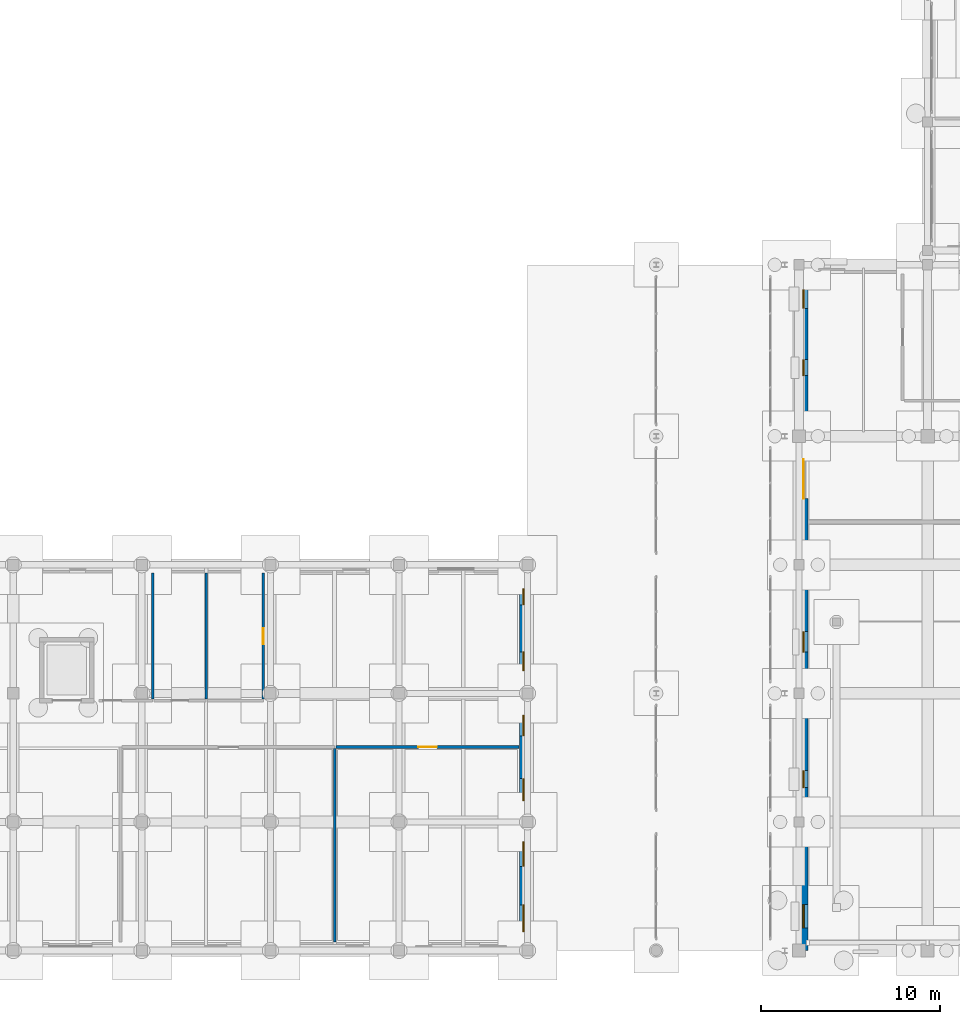
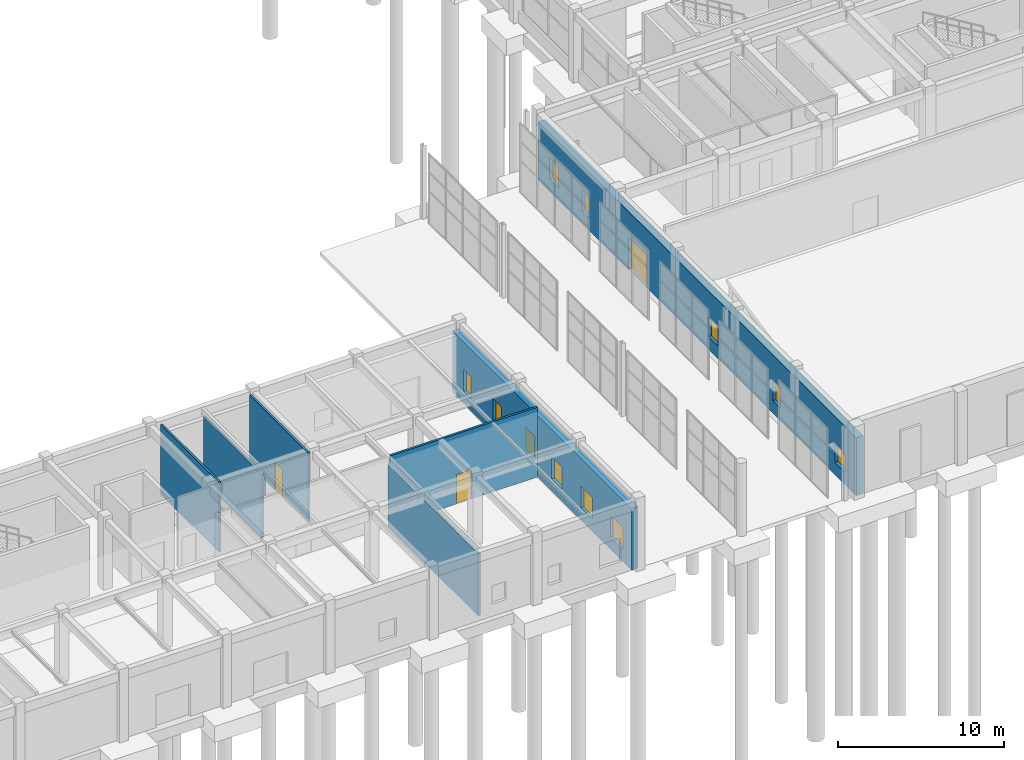
# One storey, part 70 of 91: 11 windows, 7 walls, 3 doors, 14 openings.
"""IFC4 building model written with IfcOpenShell, lengths in metres."""

import ifcopenshell
import ifcopenshell.guid

model = None  # the IFC model being written
_history = None  # IfcOwnerHistory: only IFC2X3 demands one
_inside = {}  # id of a spatial element -> (the spatial element, [elements in it])
_under = {}  # id of a project, library or spatial element -> (it, [spatial elements below it])
_declared = {}  # id of a project -> (the project, [libraries it declares])
_typed = {}  # id of a type object -> (the type object, [elements of that type])
_made_of = {}  # id of a material, layer set ... -> (it, [elements and type objects made of it])


def new_model(schema):
    """Start an empty IFC model of exactly this schema.

    Asked for "IFC4X3", IfcOpenShell would pick the latest addendum, in which some entities
    have other attributes; the version numbers below select the first issue.
    IFC2X3 requires an IfcOwnerHistory on every rooted entity: one is made here for all.
    """
    global model, _history
    if schema == "IFC4X3":
        model = ifcopenshell.file(schema_version=(4, 3, 0, 0))
    else:
        model = ifcopenshell.file(schema=schema)
    _inside.clear()
    _under.clear()
    _declared.clear()
    _typed.clear()
    _made_of.clear()
    _history = None
    if model.schema == "IFC2X3":
        org = make("IfcOrganization", Name="unknown")
        user = make(
            "IfcPersonAndOrganization",
            ThePerson=make("IfcPerson", FamilyName="unknown"),
            TheOrganization=org,
        )
        app = make(
            "IfcApplication",
            ApplicationDeveloper=org,
            Version="unknown",
            ApplicationFullName="unknown",
            ApplicationIdentifier="unknown",
        )
        _history = make(
            "IfcOwnerHistory",
            OwningUser=user,
            OwningApplication=app,
            ChangeAction="ADDED",
            CreationDate=0,
        )
    return model


def make(cls, **values):
    """One entity of the class cls with the attributes given. An attribute that is None is left unset."""
    return model.create_entity(
        cls, **{name: value for name, value in values.items() if value is not None}
    )


def rooted(cls, **values):
    """An entity with a GlobalId (a new one), such as an element, a storey or a relation."""
    return make(cls, GlobalId=ifcopenshell.guid.new(), OwnerHistory=_history, **values)


def si_unit(unit_type, name, prefix=None):
    """IfcSIUnit, for example si_unit("LENGTHUNIT", "METRE", prefix="MILLI")."""
    return make("IfcSIUnit", UnitType=unit_type, Prefix=prefix, Name=name)


def assignment(units):
    """IfcUnitAssignment: the units of a project."""
    return None if units is None else make("IfcUnitAssignment", Units=units)


def point(xyz):
    """IfcCartesianPoint."""
    return None if xyz is None else make("IfcCartesianPoint", Coordinates=xyz)


def direction(xyz):
    """IfcDirection."""
    return None if xyz is None else make("IfcDirection", DirectionRatios=xyz)


def frame(location, z_axis=None, x_axis=None):
    """IfcAxis2Placement3D, a coordinate frame: its origin and axes. An axis left out is left unset."""
    return make(
        "IfcAxis2Placement3D",
        Location=point(location),
        Axis=direction(z_axis),
        RefDirection=direction(x_axis),
    )


def frame_2d(location, x_axis=None):
    """IfcAxis2Placement2D, a coordinate frame in the plane: its origin and x axis."""
    return make(
        "IfcAxis2Placement2D", Location=point(location), RefDirection=direction(x_axis)
    )


def origin():
    """The frame at (0, 0, 0) with its axes left unset."""
    return frame((0.0, 0.0, 0.0))


def place(relative_to, where):
    """IfcLocalPlacement: puts the frame where relative to a parent placement (None: the world)."""
    return make(
        "IfcLocalPlacement", PlacementRelTo=relative_to, RelativePlacement=where
    )


def context(
    kind, dimensions, precision=None, world=None, true_north=None, identifier=None
):
    """IfcGeometricRepresentationContext, for example the 3D "Model" context."""
    return make(
        "IfcGeometricRepresentationContext",
        ContextIdentifier=identifier,
        ContextType=kind,
        CoordinateSpaceDimension=dimensions,
        Precision=precision,
        WorldCoordinateSystem=world,
        TrueNorth=true_north,
    )


def subcontext(parent, identifier, kind, view, scale=None):
    """IfcGeometricRepresentationSubContext, for example "Body" below "Model"."""
    return make(
        "IfcGeometricRepresentationSubContext",
        ContextIdentifier=identifier,
        ContextType=kind,
        ParentContext=parent,
        TargetScale=scale,
        TargetView=view,
    )


def project(units=None, contexts=None):
    """IfcProject with its units and contexts."""
    return rooted(
        "IfcProject",
        Name="project",
        RepresentationContexts=contexts,
        UnitsInContext=assignment(units),
    )


def spatial(cls, under=None, at=None, **own):
    """A site, building, storey or space (cls), placed at a placement, below another one or the project."""
    s = rooted(cls, ObjectPlacement=at, **own)
    if under is not None:
        _under.setdefault(under.id(), (under, []))[1].append(s)
    return s


def profile(cls, at=None, kind="AREA", **sizes):
    """A parametric profile (cls). Its sizes go by their IFC names, for example OverallWidth=200.0."""
    return make(cls, ProfileType=kind, Position=at, **sizes)


def rectangle(**sizes):
    """IfcRectangleProfileDef."""
    return profile("IfcRectangleProfileDef", **sizes)


def extrude(swept, where, along, depth):
    """IfcExtrudedAreaSolid: the profile swept, set in the frame where, extruded along a direction by depth."""
    return make(
        "IfcExtrudedAreaSolid",
        SweptArea=swept,
        Position=where,
        ExtrudedDirection=direction(along),
        Depth=depth,
    )


def shape(context_of_items, identifier, shape_type, items):
    """IfcShapeRepresentation: the items that make up one representation, for example the "Body"."""
    return make(
        "IfcShapeRepresentation",
        ContextOfItems=context_of_items,
        RepresentationIdentifier=identifier,
        RepresentationType=shape_type,
        Items=items,
    )


def material(Name=None, Category=None):
    """IfcMaterial."""
    return make("IfcMaterial", Name=Name, Category=Category)


def layer(
    of_material, thickness, ventilated=None, Name=None, Category=None, Priority=None
):
    """IfcMaterialLayer: one layer of a wall or slab, of a material (None: an air gap)."""
    return make(
        "IfcMaterialLayer",
        Material=of_material,
        LayerThickness=thickness,
        IsVentilated=ventilated,
        Name=Name,
        Category=Category,
        Priority=Priority,
    )


def layer_set(layers, Name=None):
    """IfcMaterialLayerSet."""
    return make("IfcMaterialLayerSet", MaterialLayers=layers, LayerSetName=Name)


def made_of(thing, what):
    """Note that an element or type object is made of a material, layer set ...; save() writes the relation."""
    if what is not None:
        _made_of.setdefault(what.id(), (what, []))[1].append(thing)
    return thing


def type_object(cls, material=None, **own):
    """A type object (cls), such as IfcWallType, which elements share."""
    return made_of(rooted(cls, **own), material)


def element(
    cls,
    number,
    at=None,
    inside=None,
    cuts=None,
    type_object=None,
    material=None,
    context=None,
    identifier="Body",
    shape_type=None,
    held_by="IfcProductDefinitionShape",
    body=None,
    shapes=None,
    **own,
):
    """One element of the class cls, such as IfcWall. Its Tag is "e" and its number.

    at: its placement. inside: the storey or other place that contains it. cuts: it is an
    opening in that element (IfcRelVoidsElement). A single representation is given by context,
    identifier, shape_type and body (its items); several are given by shapes. held_by: the class
    of the entity that holds the representations. save() writes the other relations.
    """
    e = rooted(cls, Tag="e%d" % number, ObjectPlacement=at, **own)
    if body is not None:
        shapes = [shape(context, identifier, shape_type, body)]
    if shapes is not None:
        e.Representation = make(held_by, Representations=shapes)
    if inside is not None:
        _inside.setdefault(inside.id(), (inside, []))[1].append(e)
    if cuts is not None:
        rooted(
            "IfcRelVoidsElement", RelatingBuildingElement=cuts, RelatedOpeningElement=e
        )
    if type_object is not None:
        _typed.setdefault(type_object.id(), (type_object, []))[1].append(e)
    return made_of(e, material)


def fill(opening, filler):
    """IfcRelFillsElement: the door or window that sits in an opening."""
    return rooted(
        "IfcRelFillsElement",
        RelatingOpeningElement=opening,
        RelatedBuildingElement=filler,
    )


def aggregate(whole, parts):
    """IfcRelAggregates: a whole, such as a stair, and the parts it consists of."""
    return rooted("IfcRelAggregates", RelatingObject=whole, RelatedObjects=parts)


def save(model, path):
    """Write the relations noted so far, then the file.

    IfcRelAggregates (storeys below a building ...), IfcRelContainedInSpatialStructure (elements
    in a storey), IfcRelDefinesByType, IfcRelAssociatesMaterial and IfcRelDeclares: one each for
    every whole, place, type object, material and project.
    """
    for whole, parts in _under.values():
        aggregate(whole, parts)
    for where, things in _inside.values():
        rooted(
            "IfcRelContainedInSpatialStructure",
            RelatedElements=things,
            RelatingStructure=where,
        )
    for kind, things in _typed.values():
        rooted("IfcRelDefinesByType", RelatedObjects=things, RelatingType=kind)
    for what, things in _made_of.values():
        rooted("IfcRelAssociatesMaterial", RelatedObjects=things, RelatingMaterial=what)
    for by, libraries in _declared.values():
        rooted("IfcRelDeclares", RelatingContext=by, RelatedDefinitions=libraries)
    model.write(path)


model = new_model("IFC4")

# Units and contexts
model_context = context("Model", 3, precision=1e-05, world=origin(), true_north=direction((0.0, 1.0)))
body_context = subcontext(model_context, "Body", "Model", "MODEL_VIEW")
ifc_project = project(units=[si_unit("LENGTHUNIT", "METRE"), si_unit("AREAUNIT", "SQUARE_METRE"), si_unit("VOLUMEUNIT", "CUBIC_METRE"), si_unit("PLANEANGLEUNIT", "RADIAN"), si_unit("MASSUNIT", "GRAM", prefix="KILO")], contexts=[model_context])

# Site, building, storey
site_placement = place(None, origin())
site = spatial("IfcSite", under=ifc_project, at=site_placement, CompositionType="ELEMENT")
building_placement = place(site_placement, origin())
building = spatial("IfcBuilding", under=site, at=building_placement, Name="Bramveld Media Centre", CompositionType="ELEMENT")
storey_placement = place(building_placement, origin())
storey = spatial("IfcBuildingStorey", under=building, at=storey_placement, Name="L00", CompositionType="ELEMENT", Elevation=0.0)

# Wall, openings, door, windows
ifc_material_1 = material(Name="Double-leaf Concrete C40/50 cinema acoustic shell wall with brick outer leaf", Category="masonry")
ifc_layer_1 = layer(ifc_material_1, 0.5)
ifc_layer_set_1 = layer_set([ifc_layer_1], Name="Double-leaf Concrete C40/50 cinema acoustic shell wall with brick outer leaf")
wall_type_1 = type_object("IfcWallType", Name="EW-ACOU-500", PredefinedType="SOLIDWALL", material=ifc_layer_set_1)
wall_1_placement = place(storey_placement, frame((124.25, 0.0, 0.0), z_axis=(0.0, 0.0, 1.0), x_axis=(0.0, 1.0, 0.0)))
wall_1 = element("IfcWall", 1, at=wall_1_placement, inside=storey, type_object=wall_type_1, Name="V1 L00 W facing brick exterior wall", PredefinedType="SOLIDWALL", context=body_context, shape_type="SweptSolid", body=[
    extrude(rectangle(XDim=38.39990234375, YDim=0.5, at=frame_2d((19.199951171875, 0.0))), origin(), (0.0, 0.0, 1.0), 4.27490234375),
])
opening_1_placement = place(wall_1_placement, frame((25.300048828125, 0.0, 0.0)))
opening_1 = element("IfcOpeningElement", 2, at=opening_1_placement, cuts=wall_1, Name="Opening ED-06", PredefinedType="OPENING", context=body_context, shape_type="SweptSolid", body=[
    extrude(rectangle(XDim=2.199951171875, YDim=2.39990234375, at=frame_2d((1.10009765625, 1.199951171875))), frame((0.0, 0.261962890625, 0.0), z_axis=(0.0, -1.0, 0.0), x_axis=(1.0, 0.0, 0.0)), (0.0, 0.0, 1.0), 0.52392578125),
])
opening_2_placement = place(wall_1_placement, frame((1.27001953125, 0.0, 0.89990234375)))
opening_2 = element("IfcOpeningElement", 3, at=opening_2_placement, cuts=wall_1, Name="Opening W-05", PredefinedType="OPENING", context=body_context, shape_type="SweptSolid", body=[
    extrude(rectangle(XDim=1.300048828125, YDim=1.35009765625, at=frame_2d((0.64990234375, 0.675048828125))), frame((0.0, 0.261962890625, 0.0), z_axis=(0.0, -1.0, 0.0), x_axis=(1.0, 0.0, 0.0)), (0.0, 0.0, 1.0), 0.52392578125),
])
opening_3_placement = place(wall_1_placement, frame((9.125, 0.0, 0.89990234375)))
opening_3 = element("IfcOpeningElement", 4, at=opening_3_placement, cuts=wall_1, Name="Opening W-07", PredefinedType="OPENING", context=body_context, shape_type="SweptSolid", body=[
    extrude(rectangle(XDim=0.949951171875, YDim=1.449951171875, at=frame_2d((0.47509765625, 0.72509765625))), frame((0.0, 0.261962890625, 0.0), z_axis=(0.0, -1.0, 0.0), x_axis=(1.0, 0.0, 0.0)), (0.0, 0.0, 1.0), 0.52392578125),
])
opening_4_placement = place(wall_1_placement, frame((16.705078125, 0.0, 0.89990234375)))
opening_4 = element("IfcOpeningElement", 5, at=opening_4_placement, cuts=wall_1, Name="Opening W-09", PredefinedType="OPENING", context=body_context, shape_type="SweptSolid", body=[
    extrude(rectangle(XDim=1.14990234375, YDim=1.449951171875, at=frame_2d((0.574951171875, 0.72509765625))), frame((0.0, 0.261962890625, 0.0), z_axis=(0.0, -1.0, 0.0), x_axis=(1.0, 0.0, 0.0)), (0.0, 0.0, 1.0), 0.52392578125),
])
opening_5_placement = place(wall_1_placement, frame((32.18994140625, 0.0, 0.89990234375)))
opening_5 = element("IfcOpeningElement", 6, at=opening_5_placement, cuts=wall_1, Name="Opening W-13", PredefinedType="OPENING", context=body_context, shape_type="SweptSolid", body=[
    extrude(rectangle(XDim=0.89990234375, YDim=1.60009765625, at=frame_2d((0.449951171875, 0.800048828125))), frame((0.0, 0.261962890625, 0.0), z_axis=(0.0, -1.0, 0.0), x_axis=(1.0, 0.0, 0.0)), (0.0, 0.0, 1.0), 0.52392578125),
])
opening_6_placement = place(wall_1_placement, frame((35.955078125, 0.0, 0.89990234375)))
opening_6 = element("IfcOpeningElement", 7, at=opening_6_placement, cuts=wall_1, Name="Opening W-14", PredefinedType="OPENING", context=body_context, shape_type="SweptSolid", body=[
    extrude(rectangle(XDim=1.050048828125, YDim=1.60009765625, at=frame_2d((0.52490234375, 0.800048828125))), frame((0.0, 0.261962890625, 0.0), z_axis=(0.0, -1.0, 0.0), x_axis=(1.0, 0.0, 0.0)), (0.0, 0.0, 1.0), 0.52392578125),
])
ifc_material_2 = material(Name="Insulated powder-coated bronze aluminium & laminated safety glass door", Category="aluminium")
door_type_1 = type_object("IfcDoorType", Name="DR-EXT-2200", OperationType="NOTDEFINED", PredefinedType="DOOR", material=ifc_material_2)
door_1_placement = place(opening_1_placement, origin())
door_1 = element("IfcDoor", 8, at=door_1_placement, inside=storey, type_object=door_type_1, Name="Exterior door ED-06", OperationType="DOUBLE_DOOR_SINGLE_SWING", OverallHeight=2.39990234375, OverallWidth=2.199951171875, PredefinedType="DOOR", context=body_context, shape_type="SweptSolid", body=[
    extrude(rectangle(XDim=2.199951171875, YDim=2.39990234375, at=frame_2d((1.10009765625, 1.199951171875))), frame((0.0, 0.02490234375, 0.0), z_axis=(0.0, -1.0, 0.0), x_axis=(1.0, 0.0, 0.0)), (0.0, 0.0, 1.0), 0.050048828125),
])
fill(opening_1, door_1)
ifc_material_3 = material(Name="Thermally broken anodized bronze aluminium frame with triple acoustic glazing", Category="aluminium")
window_type_1 = type_object("IfcWindowType", Name="WIN-FAC-05", PartitioningType="SINGLE_PANEL", PredefinedType="WINDOW", material=ifc_material_3)
window_1_placement = place(opening_2_placement, origin())
window_1 = element("IfcWindow", 9, at=window_1_placement, inside=storey, type_object=window_type_1, Name="V1 L00 W acoustic facade window", OverallHeight=1.35009765625, OverallWidth=1.300048828125, PartitioningType="SINGLE_PANEL", PredefinedType="WINDOW", context=body_context, shape_type="SweptSolid", body=[
    extrude(rectangle(XDim=1.300048828125, YDim=1.35009765625, at=frame_2d((0.64990234375, 0.675048828125))), frame((0.0, 0.030029296875, 0.0), z_axis=(0.0, -1.0, 0.0), x_axis=(1.0, 0.0, 0.0)), (0.0, 0.0, 1.0), 0.06005859375),
])
fill(opening_2, window_1)
ifc_material_4 = material(Name="Thermally broken anodized bronze aluminium frame with triple acoustic glazing", Category="aluminium")
window_type_2 = type_object("IfcWindowType", Name="WIN-FAC-07", PartitioningType="SINGLE_PANEL", PredefinedType="WINDOW", material=ifc_material_4)
window_2_placement = place(opening_3_placement, origin())
window_2 = element("IfcWindow", 10, at=window_2_placement, inside=storey, type_object=window_type_2, Name="V1 L00 W acoustic facade window", OverallHeight=1.449951171875, OverallWidth=0.949951171875, PartitioningType="SINGLE_PANEL", PredefinedType="WINDOW", context=body_context, shape_type="SweptSolid", body=[
    extrude(rectangle(XDim=0.949951171875, YDim=1.449951171875, at=frame_2d((0.47509765625, 0.72509765625))), frame((0.0, 0.030029296875, 0.0), z_axis=(0.0, -1.0, 0.0), x_axis=(1.0, 0.0, 0.0)), (0.0, 0.0, 1.0), 0.06005859375),
])
fill(opening_3, window_2)
ifc_material_5 = material(Name="Thermally broken anodized bronze aluminium frame with triple acoustic glazing", Category="aluminium")
window_type_3 = type_object("IfcWindowType", Name="WIN-FAC-09", PartitioningType="SINGLE_PANEL", PredefinedType="WINDOW", material=ifc_material_5)
window_3_placement = place(opening_4_placement, origin())
window_3 = element("IfcWindow", 11, at=window_3_placement, inside=storey, type_object=window_type_3, Name="V1 L00 W acoustic facade window", OverallHeight=1.449951171875, OverallWidth=1.14990234375, PartitioningType="SINGLE_PANEL", PredefinedType="WINDOW", context=body_context, shape_type="SweptSolid", body=[
    extrude(rectangle(XDim=1.14990234375, YDim=1.449951171875, at=frame_2d((0.574951171875, 0.72509765625))), frame((0.0, 0.030029296875, 0.0), z_axis=(0.0, -1.0, 0.0), x_axis=(1.0, 0.0, 0.0)), (0.0, 0.0, 1.0), 0.06005859375),
])
fill(opening_4, window_3)
ifc_material_6 = material(Name="Thermally broken anodized bronze aluminium frame with triple acoustic glazing", Category="aluminium")
window_type_4 = type_object("IfcWindowType", Name="WIN-FAC-13", PartitioningType="SINGLE_PANEL", PredefinedType="WINDOW", material=ifc_material_6)
window_4_placement = place(opening_5_placement, origin())
window_4 = element("IfcWindow", 12, at=window_4_placement, inside=storey, type_object=window_type_4, Name="V1 L00 W acoustic facade window", OverallHeight=1.60009765625, OverallWidth=0.89990234375, PartitioningType="SINGLE_PANEL", PredefinedType="WINDOW", context=body_context, shape_type="SweptSolid", body=[
    extrude(rectangle(XDim=0.89990234375, YDim=1.60009765625, at=frame_2d((0.449951171875, 0.800048828125))), frame((0.0, 0.030029296875, 0.0), z_axis=(0.0, -1.0, 0.0), x_axis=(1.0, 0.0, 0.0)), (0.0, 0.0, 1.0), 0.06005859375),
])
fill(opening_5, window_4)
ifc_material_7 = material(Name="Thermally broken anodized bronze aluminium frame with triple acoustic glazing", Category="aluminium")
window_type_5 = type_object("IfcWindowType", Name="WIN-FAC-14", PartitioningType="SINGLE_PANEL", PredefinedType="WINDOW", material=ifc_material_7)
window_5_placement = place(opening_6_placement, origin())
window_5 = element("IfcWindow", 13, at=window_5_placement, inside=storey, type_object=window_type_5, Name="V1 L00 W acoustic facade window", OverallHeight=1.60009765625, OverallWidth=1.050048828125, PartitioningType="SINGLE_PANEL", PredefinedType="WINDOW", context=body_context, shape_type="SweptSolid", body=[
    extrude(rectangle(XDim=1.050048828125, YDim=1.60009765625, at=frame_2d((0.52490234375, 0.800048828125))), frame((0.0, 0.030029296875, 0.0), z_axis=(0.0, -1.0, 0.0), x_axis=(1.0, 0.0, 0.0)), (0.0, 0.0, 1.0), 0.06005859375),
])
fill(opening_6, window_5)

# Wall, openings, windows
ifc_material_8 = material(Name="Flemish red-brown clay facing brick cavity wall with concrete C35/45 inner leaf", Category="masonry")
ifc_layer_2 = layer(ifc_material_8, 0.4599609375)
ifc_layer_set_2 = layer_set([ifc_layer_2], Name="Flemish red-brown clay facing brick cavity wall with concrete C35/45 inner leaf")
wall_type_2 = type_object("IfcWallType", Name="EW-BRK-460", PredefinedType="SOLIDWALL", material=ifc_layer_set_2)
wall_2_placement = place(storey_placement, frame((108.570068359375, 21.60009765625, 0.0), z_axis=(0.0, 0.0, 1.0), x_axis=(0.0, -1.0, 0.0)))
wall_2 = element("IfcWall", 14, at=wall_2_placement, inside=storey, type_object=wall_type_2, Name="V5 L00 E facing brick exterior wall", PredefinedType="SOLIDWALL", context=body_context, shape_type="SweptSolid", body=[
    extrude(rectangle(XDim=21.60009765625, YDim=0.4599609375, at=frame_2d((10.800048828125, 0.0))), origin(), (0.0, 0.0, 1.0), 4.544921875),
])
opening_7_placement = place(wall_2_placement, frame((1.35009765625, 0.0, 0.89990234375)))
opening_7 = element("IfcOpeningElement", 15, at=opening_7_placement, cuts=wall_2, Name="Opening W-13", PredefinedType="OPENING", context=body_context, shape_type="SweptSolid", body=[
    extrude(rectangle(XDim=0.89990234375, YDim=1.60009765625, at=frame_2d((0.449951171875, 0.800048828125))), frame((0.0, 0.241943359375, 0.0), z_axis=(0.0, -1.0, 0.0), x_axis=(1.0, 0.0, 0.0)), (0.0, 0.0, 1.0), 0.48388671875),
])
opening_8_placement = place(wall_2_placement, frame((4.875, 0.0, 0.89990234375)))
opening_8 = element("IfcOpeningElement", 16, at=opening_8_placement, cuts=wall_2, Name="Opening W-14", PredefinedType="OPENING", context=body_context, shape_type="SweptSolid", body=[
    extrude(rectangle(XDim=1.050048828125, YDim=1.60009765625, at=frame_2d((0.52490234375, 0.800048828125))), frame((0.0, 0.241943359375, 0.0), z_axis=(0.0, -1.0, 0.0), x_axis=(1.0, 0.0, 0.0)), (0.0, 0.0, 1.0), 0.48388671875),
])
opening_9_placement = place(wall_2_placement, frame((8.425048828125, 0.0, 0.89990234375)))
opening_9 = element("IfcOpeningElement", 17, at=opening_9_placement, cuts=wall_2, Name="Opening W-15", PredefinedType="OPENING", context=body_context, shape_type="SweptSolid", body=[
    extrude(rectangle(XDim=1.14990234375, YDim=1.60009765625, at=frame_2d((0.574951171875, 0.800048828125))), frame((0.0, 0.241943359375, 0.0), z_axis=(0.0, -1.0, 0.0), x_axis=(1.0, 0.0, 0.0)), (0.0, 0.0, 1.0), 0.48388671875),
])
opening_10_placement = place(wall_2_placement, frame((11.97509765625, 0.0, 0.89990234375)))
opening_10 = element("IfcOpeningElement", 18, at=opening_10_placement, cuts=wall_2, Name="Opening W-16", PredefinedType="OPENING", context=body_context, shape_type="SweptSolid", body=[
    extrude(rectangle(XDim=1.25, YDim=1.60009765625, at=frame_2d((0.625, 0.800048828125))), frame((0.0, 0.241943359375, 0.0), z_axis=(0.0, -1.0, 0.0), x_axis=(1.0, 0.0, 0.0)), (0.0, 0.0, 1.0), 0.48388671875),
])
opening_11_placement = place(wall_2_placement, frame((15.510009765625, 0.0, 0.89990234375)))
opening_11 = element("IfcOpeningElement", 19, at=opening_11_placement, cuts=wall_2, Name="Opening W-17", PredefinedType="OPENING", context=body_context, shape_type="SweptSolid", body=[
    extrude(rectangle(XDim=1.3798828125, YDim=1.60009765625, at=frame_2d((0.68994140625, 0.800048828125))), frame((0.0, 0.241943359375, 0.0), z_axis=(0.0, -1.0, 0.0), x_axis=(1.0, 0.0, 0.0)), (0.0, 0.0, 1.0), 0.48388671875),
])
opening_12_placement = place(wall_2_placement, frame((19.050048828125, 0.0, 0.89990234375)))
opening_12 = element("IfcOpeningElement", 20, at=opening_12_placement, cuts=wall_2, Name="Opening W-18", PredefinedType="OPENING", context=body_context, shape_type="SweptSolid", body=[
    extrude(rectangle(XDim=1.5, YDim=1.60009765625, at=frame_2d((0.75, 0.800048828125))), frame((0.0, 0.241943359375, 0.0), z_axis=(0.0, -1.0, 0.0), x_axis=(1.0, 0.0, 0.0)), (0.0, 0.0, 1.0), 0.48388671875),
])
window_6_placement = place(opening_7_placement, origin())
window_6 = element("IfcWindow", 21, at=window_6_placement, inside=storey, type_object=window_type_4, Name="V5 L00 E acoustic facade window", OverallHeight=1.60009765625, OverallWidth=0.89990234375, PartitioningType="SINGLE_PANEL", PredefinedType="WINDOW", context=body_context, shape_type="SweptSolid", body=[
    extrude(rectangle(XDim=0.89990234375, YDim=1.60009765625, at=frame_2d((0.449951171875, 0.800048828125))), frame((0.0, 0.030029296875, 0.0), z_axis=(0.0, -1.0, 0.0), x_axis=(1.0, 0.0, 0.0)), (0.0, 0.0, 1.0), 0.06005859375),
])
fill(opening_7, window_6)
window_7_placement = place(opening_8_placement, origin())
window_7 = element("IfcWindow", 22, at=window_7_placement, inside=storey, type_object=window_type_5, Name="V5 L00 E acoustic facade window", OverallHeight=1.60009765625, OverallWidth=1.050048828125, PartitioningType="SINGLE_PANEL", PredefinedType="WINDOW", context=body_context, shape_type="SweptSolid", body=[
    extrude(rectangle(XDim=1.050048828125, YDim=1.60009765625, at=frame_2d((0.52490234375, 0.800048828125))), frame((0.0, 0.030029296875, 0.0), z_axis=(0.0, -1.0, 0.0), x_axis=(1.0, 0.0, 0.0)), (0.0, 0.0, 1.0), 0.06005859375),
])
fill(opening_8, window_7)
ifc_material_9 = material(Name="Thermally broken anodized bronze aluminium frame with triple acoustic glazing", Category="aluminium")
window_type_6 = type_object("IfcWindowType", Name="WIN-FAC-15", PartitioningType="SINGLE_PANEL", PredefinedType="WINDOW", material=ifc_material_9)
window_8_placement = place(opening_9_placement, origin())
window_8 = element("IfcWindow", 23, at=window_8_placement, inside=storey, type_object=window_type_6, Name="V5 L00 E acoustic facade window", OverallHeight=1.60009765625, OverallWidth=1.14990234375, PartitioningType="SINGLE_PANEL", PredefinedType="WINDOW", context=body_context, shape_type="SweptSolid", body=[
    extrude(rectangle(XDim=1.14990234375, YDim=1.60009765625, at=frame_2d((0.574951171875, 0.800048828125))), frame((0.0, 0.030029296875, 0.0), z_axis=(0.0, -1.0, 0.0), x_axis=(1.0, 0.0, 0.0)), (0.0, 0.0, 1.0), 0.06005859375),
])
fill(opening_9, window_8)
ifc_material_10 = material(Name="Thermally broken anodized bronze aluminium frame with triple acoustic glazing", Category="aluminium")
window_type_7 = type_object("IfcWindowType", Name="WIN-FAC-16", PartitioningType="SINGLE_PANEL", PredefinedType="WINDOW", material=ifc_material_10)
window_9_placement = place(opening_10_placement, origin())
window_9 = element("IfcWindow", 24, at=window_9_placement, inside=storey, type_object=window_type_7, Name="V5 L00 E acoustic facade window", OverallHeight=1.60009765625, OverallWidth=1.25, PartitioningType="SINGLE_PANEL", PredefinedType="WINDOW", context=body_context, shape_type="SweptSolid", body=[
    extrude(rectangle(XDim=1.25, YDim=1.60009765625, at=frame_2d((0.625, 0.800048828125))), frame((0.0, 0.030029296875, 0.0), z_axis=(0.0, -1.0, 0.0), x_axis=(1.0, 0.0, 0.0)), (0.0, 0.0, 1.0), 0.06005859375),
])
fill(opening_10, window_9)
ifc_material_11 = material(Name="Thermally broken anodized bronze aluminium frame with triple acoustic glazing", Category="aluminium")
window_type_8 = type_object("IfcWindowType", Name="WIN-FAC-17", PartitioningType="SINGLE_PANEL", PredefinedType="WINDOW", material=ifc_material_11)
window_10_placement = place(opening_11_placement, origin())
window_10 = element("IfcWindow", 25, at=window_10_placement, inside=storey, type_object=window_type_8, Name="V5 L00 E acoustic facade window", OverallHeight=1.60009765625, OverallWidth=1.3798828125, PartitioningType="SINGLE_PANEL", PredefinedType="WINDOW", context=body_context, shape_type="SweptSolid", body=[
    extrude(rectangle(XDim=1.3798828125, YDim=1.60009765625, at=frame_2d((0.68994140625, 0.800048828125))), frame((0.0, 0.030029296875, 0.0), z_axis=(0.0, -1.0, 0.0), x_axis=(1.0, 0.0, 0.0)), (0.0, 0.0, 1.0), 0.06005859375),
])
fill(opening_11, window_10)
ifc_material_12 = material(Name="Thermally broken anodized bronze aluminium frame with triple acoustic glazing", Category="aluminium")
window_type_9 = type_object("IfcWindowType", Name="WIN-FAC-18", PartitioningType="SINGLE_PANEL", PredefinedType="WINDOW", material=ifc_material_12)
window_11_placement = place(opening_12_placement, origin())
window_11 = element("IfcWindow", 26, at=window_11_placement, inside=storey, type_object=window_type_9, Name="V5 L00 E acoustic facade window", OverallHeight=1.60009765625, OverallWidth=1.5, PartitioningType="SINGLE_PANEL", PredefinedType="WINDOW", context=body_context, shape_type="SweptSolid", body=[
    extrude(rectangle(XDim=1.5, YDim=1.60009765625, at=frame_2d((0.75, 0.800048828125))), frame((0.0, 0.030029296875, 0.0), z_axis=(0.0, -1.0, 0.0), x_axis=(1.0, 0.0, 0.0)), (0.0, 0.0, 1.0), 0.06005859375),
])
fill(opening_12, window_11)

# Wall
ifc_material_13 = material(Name="Insulated metal-stud gypsum room partition", Category="gypsum")
ifc_layer_3 = layer(ifc_material_13, 0.14990234375)
ifc_layer_set_3 = layer_set([ifc_layer_3], Name="Insulated metal-stud gypsum room partition")
wall_type_3 = type_object("IfcWallType", Name="IW-PART-150", PredefinedType="PARTITIONING", material=ifc_layer_set_3)
wall_3_placement = place(storey_placement, frame((98.0, 0.469970703125, 0.0), z_axis=(0.0, 0.0, 1.0), x_axis=(0.0, 1.0, 0.0)))
element("IfcWall", 27, at=wall_3_placement, inside=storey, type_object=wall_type_3, Name="Cinema Bookshop & Media Store partition wall", PredefinedType="PARTITIONING", context=body_context, shape_type="SweptSolid", body=[
    extrude(rectangle(XDim=10.844970703125, YDim=0.14990234375, at=frame_2d((5.42236328125, 0.0))), origin(), (0.0, 0.0, 1.0), 4.574951171875),
])

# Wall, opening, door
wall_4_placement = place(storey_placement, frame((98.0849609375, 11.39990234375, 0.0), z_axis=(0.0, 0.0, 1.0), x_axis=(1.0, 0.0, 0.0)))
wall_4 = element("IfcWall", 28, at=wall_4_placement, inside=storey, type_object=wall_type_3, Name="Street-Front Espresso Bar partition wall", PredefinedType="PARTITIONING", context=body_context, shape_type="SweptSolid", body=[
    extrude(rectangle(XDim=10.2451171875, YDim=0.14990234375, at=frame_2d((5.12255859375, 0.0))), origin(), (0.0, 0.0, 1.0), 5.14990234375),
])
opening_13_placement = place(wall_4_placement, frame((4.6025390625, 0.0, 0.0)))
opening_13 = element("IfcOpeningElement", 29, at=opening_13_placement, cuts=wall_4, Name="Opening D-00-033", PredefinedType="OPENING", context=body_context, shape_type="SweptSolid", body=[
    extrude(rectangle(XDim=1.0400390625, YDim=2.14990234375, at=frame_2d((0.52001953125, 1.074951171875))), frame((0.0, 0.0869140625, 0.0), z_axis=(0.0, -1.0, 0.0), x_axis=(1.0, 0.0, 0.0)), (0.0, 0.0, 1.0), 0.173828125),
])
ifc_material_14 = material(Name="Solid-core European oak acoustic timber leaf in steel frame", Category="steel")
door_type_2 = type_object("IfcDoorType", Name="DR-RM-1040", OperationType="NOTDEFINED", PredefinedType="DOOR", material=ifc_material_14)
door_2_placement = place(opening_13_placement, origin())
door_2 = element("IfcDoor", 30, at=door_2_placement, inside=storey, type_object=door_type_2, Name="Street-Front Espresso Bar entrance door", OperationType="SINGLE_SWING_LEFT", OverallHeight=2.14990234375, OverallWidth=1.0400390625, PredefinedType="DOOR", context=body_context, shape_type="SweptSolid", body=[
    extrude(rectangle(XDim=1.0400390625, YDim=2.14990234375, at=frame_2d((0.52001953125, 1.074951171875))), frame((0.0, 0.02490234375, 0.0), z_axis=(0.0, -1.0, 0.0), x_axis=(1.0, 0.0, 0.0)), (0.0, 0.0, 1.0), 0.050048828125),
])
fill(opening_13, door_2)

# Walls
ifc_material_15 = material(Name="Moisture-resistant cement-board sanitary partition", Category="gypsum")
ifc_layer_4 = layer(ifc_material_15, 0.139892578125)
ifc_layer_set_4 = layer_set([ifc_layer_4], Name="Moisture-resistant cement-board sanitary partition")
wall_type_4 = type_object("IfcWallType", Name="IW-WET-140", PredefinedType="PARTITIONING", material=ifc_layer_set_4)
wall_5_placement = place(storey_placement, frame((87.800048828125, 14.080078125, 0.0), z_axis=(0.0, 0.0, 1.0), x_axis=(0.0, 1.0, 0.0)))
element("IfcWall", 31, at=wall_5_placement, inside=storey, type_object=wall_type_4, Name="Accessible WC partition wall", PredefinedType="PARTITIONING", context=body_context, shape_type="SweptSolid", body=[
    extrude(rectangle(XDim=7.0498046875, YDim=0.139892578125, at=frame_2d((3.52490234375, 0.0))), origin(), (0.0, 0.0, 1.0), 5.14990234375),
])
wall_6_placement = place(storey_placement, frame((90.800048828125, 14.080078125, 0.0), z_axis=(0.0, 0.0, 1.0), x_axis=(0.0, 1.0, 0.0)))
element("IfcWall", 32, at=wall_6_placement, inside=storey, type_object=wall_type_4, Name="Male WC partition wall", PredefinedType="PARTITIONING", context=body_context, shape_type="SweptSolid", body=[
    extrude(rectangle(XDim=7.0498046875, YDim=0.139892578125, at=frame_2d((3.52490234375, 0.0))), origin(), (0.0, 0.0, 1.0), 4.675048828125),
])

# Wall, opening, door
wall_7_placement = place(storey_placement, frame((94.0, 14.080078125, 0.0), z_axis=(0.0, 0.0, 1.0), x_axis=(0.0, 1.0, 0.0)))
wall_7 = element("IfcWall", 33, at=wall_7_placement, inside=storey, type_object=wall_type_4, Name="Female WC partition wall", PredefinedType="PARTITIONING", context=body_context, shape_type="SweptSolid", body=[
    extrude(rectangle(XDim=7.0498046875, YDim=0.139892578125, at=frame_2d((3.52490234375, 0.0))), origin(), (0.0, 0.0, 1.0), 5.14990234375),
])
opening_14_placement = place(wall_7_placement, frame((3.080078125, 0.0, 0.0)))
opening_14 = element("IfcOpeningElement", 34, at=opening_14_placement, cuts=wall_7, Name="Opening D-00-036", PredefinedType="OPENING", context=body_context, shape_type="SweptSolid", body=[
    extrude(rectangle(XDim=0.889892578125, YDim=2.050048828125, at=frame_2d((0.44482421875, 1.02490234375))), frame((0.0, 0.08203125, 0.0), z_axis=(0.0, -1.0, 0.0), x_axis=(1.0, 0.0, 0.0)), (0.0, 0.0, 1.0), 0.163818359375),
])
ifc_material_16 = material(Name="Solid-core European oak acoustic timber leaf in steel frame", Category="steel")
door_type_3 = type_object("IfcDoorType", Name="DR-WC-0890", OperationType="NOTDEFINED", PredefinedType="DOOR", material=ifc_material_16)
door_3_placement = place(opening_14_placement, origin())
door_3 = element("IfcDoor", 35, at=door_3_placement, inside=storey, type_object=door_type_3, Name="Female WC entrance door", OperationType="SINGLE_SWING_RIGHT", OverallHeight=2.050048828125, OverallWidth=0.889892578125, PredefinedType="DOOR", context=body_context, shape_type="SweptSolid", body=[
    extrude(rectangle(XDim=0.889892578125, YDim=2.050048828125, at=frame_2d((0.44482421875, 1.02490234375))), frame((0.0, 0.02490234375, 0.0), z_axis=(0.0, -1.0, 0.0), x_axis=(1.0, 0.0, 0.0)), (0.0, 0.0, 1.0), 0.050048828125),
])
fill(opening_14, door_3)

save(model, "model.ifc")
